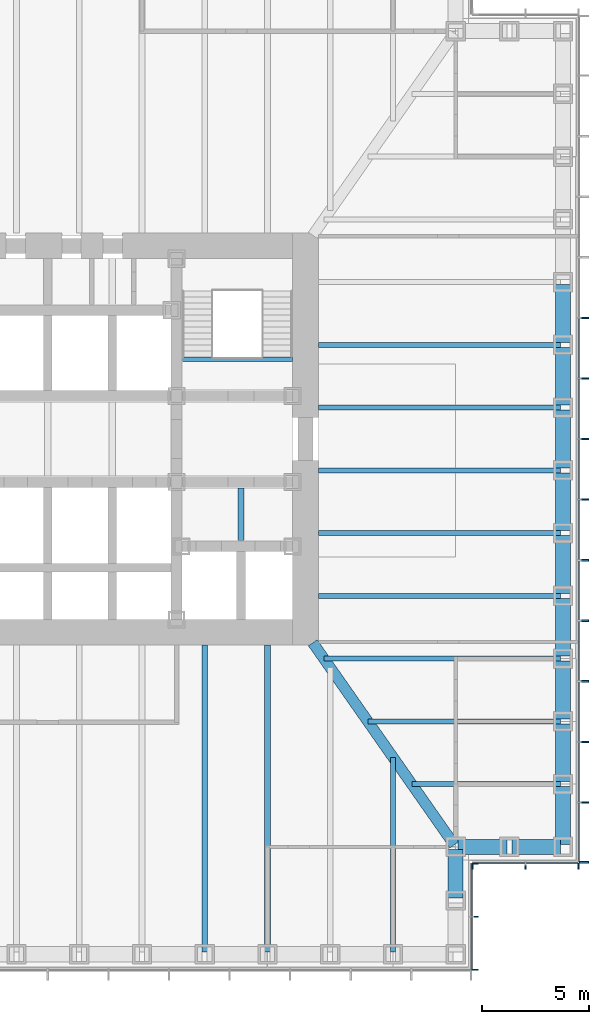
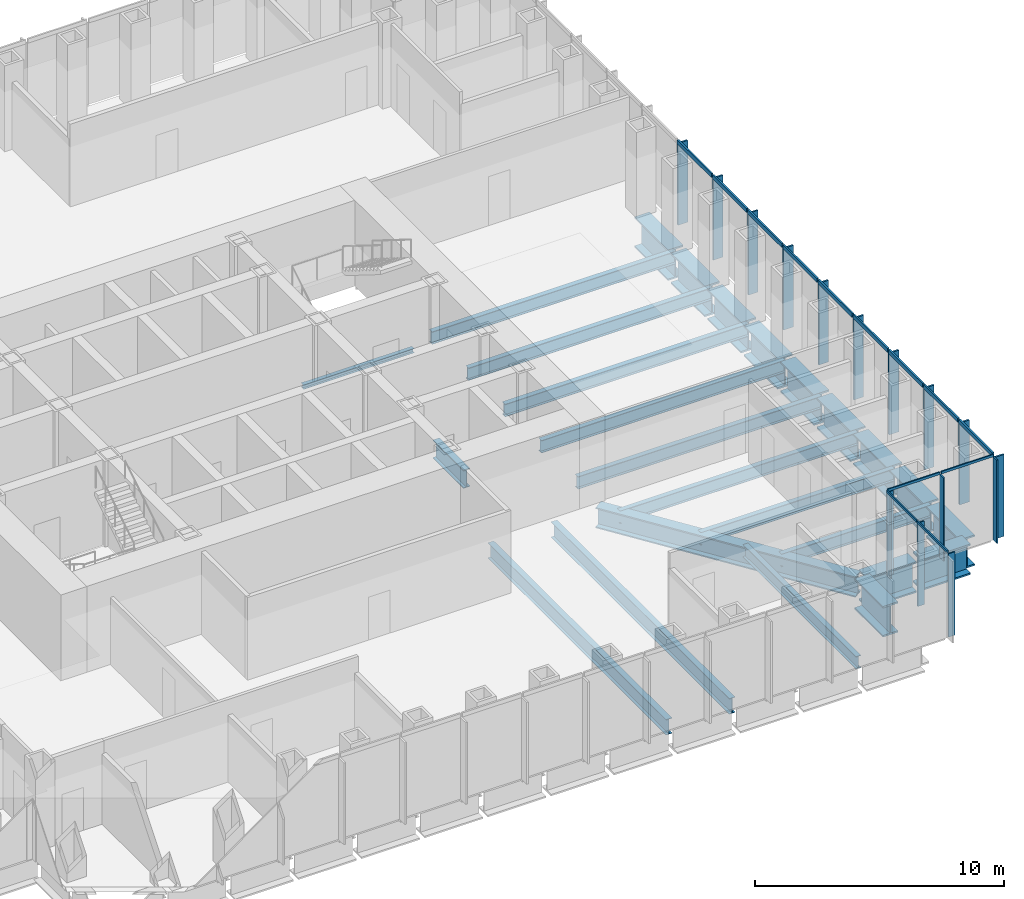
# One storey, part 4 of 17: 29 members, 26 beams, 3 elements without a shape of their own.
"""IFC4 building model written with IfcOpenShell, lengths in metres."""

from ifc_helpers import new_model, si_unit, direction, frame, origin, origin_2d, place, context, subcontext, project, spatial, rectangle, i_section, extrude, material, material_profile, profile_set, type_object, element, aggregate, save


model = new_model("IFC4")

# Units and contexts
model_context = context("Model", 3, precision=1e-05, world=origin(), true_north=direction((0.0, 1.0)))
body_context = subcontext(model_context, "Body", "Model", "MODEL_VIEW")
ifc_project = project(units=[si_unit("LENGTHUNIT", "METRE"), si_unit("AREAUNIT", "SQUARE_METRE"), si_unit("VOLUMEUNIT", "CUBIC_METRE"), si_unit("PLANEANGLEUNIT", "RADIAN"), si_unit("MASSUNIT", "GRAM", prefix="KILO")], contexts=[model_context])

# Site, building, storey
site_placement = place(None, origin())
site = spatial("IfcSite", under=ifc_project, at=site_placement, CompositionType="ELEMENT")
building_placement = place(site_placement, origin())
building = spatial("IfcBuilding", under=site, at=building_placement, Name="Daluyong Arena Tower", CompositionType="ELEMENT")
storey_placement = place(building_placement, frame((0.0, 0.0, 81.10009765625)))
storey = spatial("IfcBuildingStorey", under=building, at=storey_placement, Name="L17", CompositionType="ELEMENT", Elevation=81.10009765625)

# Curtain wall, members
ifc_material_1 = material(Name="Bronze anodised aluminium and glass", Category="aluminium")
curtain_wall_type_1 = type_object("IfcCurtainWallType", Name="Curtain wall CW1", PredefinedType="USERDEFINED", material=ifc_material_1)
curtain_wall_1_placement = place(storey_placement, origin())
curtain_wall_1 = element("IfcCurtainWall", 1, at=curtain_wall_1_placement, inside=storey, type_object=curtain_wall_type_1, Name="curtain wall L17 E", ObjectType="UNITISED CURTAIN WALL", PredefinedType="USERDEFINED")
ifc_material_2 = material(Name="Bronze anodised aluminium fin", Category="aluminium")
ifc_material_profile_1 = material_profile(ifc_material_2, rectangle(XDim=0.449951171875, YDim=0.080078125, at=origin_2d()))
ifc_profile_set_1 = profile_set([ifc_material_profile_1], Name="Bronze anodised aluminium fin")
member_type_1 = type_object("IfcMemberType", Name="CW1 bronze fin 450x80", PredefinedType="MULLION", material=ifc_profile_set_1)
member_1_placement = place(storey_placement, frame((80.97509765625, 60.2900390625, 0.0), z_axis=(0.0, 0.0, 1.0), x_axis=(-1.0, 0.0, 0.0)))
member_1 = element("IfcMember", 2, at=member_1_placement, type_object=member_type_1, Name="curtain wall L17 E fin 1", PredefinedType="MULLION", context=body_context, shape_type="SweptSolid", body=[
    extrude(rectangle(XDim=0.449951171875, YDim=0.080078125, at=origin_2d()), origin(), (0.0, 0.0, 1.0), 4.0),
])
member_2_placement = place(storey_placement, frame((80.97509765625, 63.071533203125, 0.0), z_axis=(0.0, 0.0, 1.0), x_axis=(-1.0, 0.0, 0.0)))
member_2 = element("IfcMember", 3, at=member_2_placement, type_object=member_type_1, Name="curtain wall L17 E fin 2", PredefinedType="MULLION", context=body_context, shape_type="SweptSolid", body=[
    extrude(rectangle(XDim=0.449951171875, YDim=0.080078125, at=origin_2d()), origin(), (0.0, 0.0, 1.0), 4.0),
])
member_3_placement = place(storey_placement, frame((80.97509765625, 65.892822265625, 0.0), z_axis=(0.0, 0.0, 1.0), x_axis=(-1.0, 0.0, 0.0)))
member_3 = element("IfcMember", 4, at=member_3_placement, type_object=member_type_1, Name="curtain wall L17 E fin 3", PredefinedType="MULLION", context=body_context, shape_type="SweptSolid", body=[
    extrude(rectangle(XDim=0.449951171875, YDim=0.080078125, at=origin_2d()), origin(), (0.0, 0.0, 1.0), 4.0),
])
member_4_placement = place(storey_placement, frame((80.97509765625, 68.71435546875, 0.0), z_axis=(0.0, 0.0, 1.0), x_axis=(-1.0, 0.0, 0.0)))
member_4 = element("IfcMember", 5, at=member_4_placement, type_object=member_type_1, Name="curtain wall L17 E fin 4", PredefinedType="MULLION", context=body_context, shape_type="SweptSolid", body=[
    extrude(rectangle(XDim=0.449951171875, YDim=0.080078125, at=origin_2d()), origin(), (0.0, 0.0, 1.0), 4.0),
])
member_5_placement = place(storey_placement, frame((80.97509765625, 71.53564453125, 0.0), z_axis=(0.0, 0.0, 1.0), x_axis=(-1.0, 0.0, 0.0)))
member_5 = element("IfcMember", 6, at=member_5_placement, type_object=member_type_1, Name="curtain wall L17 E fin 5", PredefinedType="MULLION", context=body_context, shape_type="SweptSolid", body=[
    extrude(rectangle(XDim=0.449951171875, YDim=0.080078125, at=origin_2d()), origin(), (0.0, 0.0, 1.0), 4.0),
])
member_6_placement = place(storey_placement, frame((80.97509765625, 74.357177734375, 0.0), z_axis=(0.0, 0.0, 1.0), x_axis=(-1.0, 0.0, 0.0)))
member_6 = element("IfcMember", 7, at=member_6_placement, type_object=member_type_1, Name="curtain wall L17 E fin 6", PredefinedType="MULLION", context=body_context, shape_type="SweptSolid", body=[
    extrude(rectangle(XDim=0.449951171875, YDim=0.080078125, at=origin_2d()), origin(), (0.0, 0.0, 1.0), 4.0),
])
member_7_placement = place(storey_placement, frame((80.97509765625, 77.178466796875, 0.0), z_axis=(0.0, 0.0, 1.0), x_axis=(-1.0, 0.0, 0.0)))
member_7 = element("IfcMember", 8, at=member_7_placement, type_object=member_type_1, Name="curtain wall L17 E fin 7", PredefinedType="MULLION", context=body_context, shape_type="SweptSolid", body=[
    extrude(rectangle(XDim=0.449951171875, YDim=0.080078125, at=origin_2d()), origin(), (0.0, 0.0, 1.0), 4.0),
])
member_8_placement = place(storey_placement, frame((80.97509765625, 80.0, 0.0), z_axis=(0.0, 0.0, 1.0), x_axis=(-1.0, 0.0, 0.0)))
member_8 = element("IfcMember", 9, at=member_8_placement, type_object=member_type_1, Name="curtain wall L17 E fin 8", PredefinedType="MULLION", context=body_context, shape_type="SweptSolid", body=[
    extrude(rectangle(XDim=0.449951171875, YDim=0.080078125, at=origin_2d()), origin(), (0.0, 0.0, 1.0), 4.0),
])
member_9_placement = place(storey_placement, frame((80.97509765625, 82.821533203125, 0.0), z_axis=(0.0, 0.0, 1.0), x_axis=(-1.0, 0.0, 0.0)))
member_9 = element("IfcMember", 10, at=member_9_placement, type_object=member_type_1, Name="curtain wall L17 E fin 9", PredefinedType="MULLION", context=body_context, shape_type="SweptSolid", body=[
    extrude(rectangle(XDim=0.449951171875, YDim=0.080078125, at=origin_2d()), origin(), (0.0, 0.0, 1.0), 4.0),
])
member_10_placement = place(storey_placement, frame((80.97509765625, 85.642822265625, 0.0), z_axis=(0.0, 0.0, 1.0), x_axis=(-1.0, 0.0, 0.0)))
member_10 = element("IfcMember", 11, at=member_10_placement, type_object=member_type_1, Name="curtain wall L17 E fin 10", PredefinedType="MULLION", context=body_context, shape_type="SweptSolid", body=[
    extrude(rectangle(XDim=0.449951171875, YDim=0.080078125, at=origin_2d()), origin(), (0.0, 0.0, 1.0), 4.0),
])
ifc_material_3 = material(Name="Bronze anodised aluminium", Category="aluminium")
ifc_material_profile_2 = material_profile(ifc_material_3, rectangle(XDim=0.080078125, YDim=0.199951171875, at=origin_2d()))
ifc_profile_set_2 = profile_set([ifc_material_profile_2], Name="Bronze anodised aluminium")
member_type_2 = type_object("IfcMemberType", Name="CW1 stack transom 200x80", PredefinedType="USERDEFINED", material=ifc_profile_set_2)
member_11_placement = place(storey_placement, frame((80.75, 60.330078125, 4.099853515625), z_axis=(0.0, 1.0, 0.0), x_axis=(-1.0, 0.0, 0.0)))
member_11 = element("IfcMember", 12, at=member_11_placement, type_object=member_type_2, Name="curtain wall L17 E transom 1", ObjectType="TRANSOM", PredefinedType="USERDEFINED", context=body_context, shape_type="SweptSolid", body=[
    extrude(rectangle(XDim=0.080078125, YDim=0.199951171875, at=origin_2d()), origin(), (0.0, 0.0, 1.0), 2.701416015625),
])
member_12_placement = place(storey_placement, frame((80.75, 63.111328125, 4.099853515625), z_axis=(0.0, 1.0, 0.0), x_axis=(-1.0, 0.0, 0.0)))
member_12 = element("IfcMember", 13, at=member_12_placement, type_object=member_type_2, Name="curtain wall L17 E transom 2", ObjectType="TRANSOM", PredefinedType="USERDEFINED", context=body_context, shape_type="SweptSolid", body=[
    extrude(rectangle(XDim=0.080078125, YDim=0.199951171875, at=origin_2d()), origin(), (0.0, 0.0, 1.0), 2.741455078125),
])
member_13_placement = place(storey_placement, frame((80.75, 65.932861328125, 4.099853515625), z_axis=(0.0, 1.0, 0.0), x_axis=(-1.0, 0.0, 0.0)))
member_13 = element("IfcMember", 14, at=member_13_placement, type_object=member_type_2, Name="curtain wall L17 E transom 3", ObjectType="TRANSOM", PredefinedType="USERDEFINED", context=body_context, shape_type="SweptSolid", body=[
    extrude(rectangle(XDim=0.080078125, YDim=0.199951171875, at=origin_2d()), origin(), (0.0, 0.0, 1.0), 2.741455078125),
])
member_14_placement = place(storey_placement, frame((80.75, 68.75439453125, 4.099853515625), z_axis=(0.0, 1.0, 0.0), x_axis=(-1.0, 0.0, 0.0)))
member_14 = element("IfcMember", 15, at=member_14_placement, type_object=member_type_2, Name="curtain wall L17 E transom 4", ObjectType="TRANSOM", PredefinedType="USERDEFINED", context=body_context, shape_type="SweptSolid", body=[
    extrude(rectangle(XDim=0.080078125, YDim=0.199951171875, at=origin_2d()), origin(), (0.0, 0.0, 1.0), 2.7412109375),
])
member_15_placement = place(storey_placement, frame((80.75, 71.57568359375, 4.099853515625), z_axis=(0.0, 1.0, 0.0), x_axis=(-1.0, 0.0, 0.0)))
member_15 = element("IfcMember", 16, at=member_15_placement, type_object=member_type_2, Name="curtain wall L17 E transom 5", ObjectType="TRANSOM", PredefinedType="USERDEFINED", context=body_context, shape_type="SweptSolid", body=[
    extrude(rectangle(XDim=0.080078125, YDim=0.199951171875, at=origin_2d()), origin(), (0.0, 0.0, 1.0), 2.741455078125),
])
member_16_placement = place(storey_placement, frame((80.75, 74.397216796875, 4.099853515625), z_axis=(0.0, 1.0, 0.0), x_axis=(-1.0, 0.0, 0.0)))
member_16 = element("IfcMember", 17, at=member_16_placement, type_object=member_type_2, Name="curtain wall L17 E transom 6", ObjectType="TRANSOM", PredefinedType="USERDEFINED", context=body_context, shape_type="SweptSolid", body=[
    extrude(rectangle(XDim=0.080078125, YDim=0.199951171875, at=origin_2d()), origin(), (0.0, 0.0, 1.0), 2.741455078125),
])
member_17_placement = place(storey_placement, frame((80.75, 77.218505859375, 4.099853515625), z_axis=(0.0, 1.0, 0.0), x_axis=(-1.0, 0.0, 0.0)))
member_17 = element("IfcMember", 18, at=member_17_placement, type_object=member_type_2, Name="curtain wall L17 E transom 7", ObjectType="TRANSOM", PredefinedType="USERDEFINED", context=body_context, shape_type="SweptSolid", body=[
    extrude(rectangle(XDim=0.080078125, YDim=0.199951171875, at=origin_2d()), origin(), (0.0, 0.0, 1.0), 2.741455078125),
])
member_18_placement = place(storey_placement, frame((80.75, 80.0400390625, 4.099853515625), z_axis=(0.0, 1.0, 0.0), x_axis=(-1.0, 0.0, 0.0)))
member_18 = element("IfcMember", 19, at=member_18_placement, type_object=member_type_2, Name="curtain wall L17 E transom 8", ObjectType="TRANSOM", PredefinedType="USERDEFINED", context=body_context, shape_type="SweptSolid", body=[
    extrude(rectangle(XDim=0.080078125, YDim=0.199951171875, at=origin_2d()), origin(), (0.0, 0.0, 1.0), 2.741455078125),
])
member_19_placement = place(storey_placement, frame((80.75, 82.861328125, 4.099853515625), z_axis=(0.0, 1.0, 0.0), x_axis=(-1.0, 0.0, 0.0)))
member_19 = element("IfcMember", 20, at=member_19_placement, type_object=member_type_2, Name="curtain wall L17 E transom 9", ObjectType="TRANSOM", PredefinedType="USERDEFINED", context=body_context, shape_type="SweptSolid", body=[
    extrude(rectangle(XDim=0.080078125, YDim=0.199951171875, at=origin_2d()), origin(), (0.0, 0.0, 1.0), 2.741455078125),
])
aggregate(curtain_wall_1, [member_1, member_2, member_3, member_4, member_5, member_6, member_7, member_8, member_9, member_10, member_11, member_12, member_13, member_14, member_15, member_16, member_17, member_18, member_19])

ifc_material_4 = material(Name="Bronze anodised aluminium and glass", Category="aluminium")
curtain_wall_type_2 = type_object("IfcCurtainWallType", Name="Curtain wall CW7", PredefinedType="USERDEFINED", material=ifc_material_4)
curtain_wall_2_placement = place(storey_placement, origin())
curtain_wall_2 = element("IfcCurtainWall", 21, at=curtain_wall_2_placement, inside=storey, type_object=curtain_wall_type_2, Name="curtain wall L17 SE-E", ObjectType="UNITISED CURTAIN WALL", PredefinedType="USERDEFINED")
ifc_material_5 = material(Name="Bronze anodised aluminium fin", Category="aluminium")
ifc_material_profile_3 = material_profile(ifc_material_5, rectangle(XDim=0.300048828125, YDim=0.06005859375, at=origin_2d()))
ifc_profile_set_3 = profile_set([ifc_material_profile_3], Name="Bronze anodised aluminium fin")
member_type_3 = type_object("IfcMemberType", Name="CW7 bronze fin 300x60", PredefinedType="MULLION", material=ifc_profile_set_3)
member_20_placement = place(storey_placement, frame((75.89990234375, 55.280029296875, 0.0), z_axis=(0.0, 0.0, 1.0), x_axis=(-1.0, 0.0, 0.0)))
member_20 = element("IfcMember", 22, at=member_20_placement, type_object=member_type_3, Name="curtain wall L17 SE-E fin 1", PredefinedType="MULLION", context=body_context, shape_type="SweptSolid", body=[
    extrude(rectangle(XDim=0.300048828125, YDim=0.06005859375, at=origin_2d()), origin(), (0.0, 0.0, 1.0), 4.079833984375),
])
member_21_placement = place(storey_placement, frame((75.89990234375, 57.75, 0.0), z_axis=(0.0, 0.0, 1.0), x_axis=(-1.0, 0.0, 0.0)))
member_21 = element("IfcMember", 23, at=member_21_placement, type_object=member_type_3, Name="curtain wall L17 SE-E fin 2", PredefinedType="MULLION", context=body_context, shape_type="SweptSolid", body=[
    extrude(rectangle(XDim=0.300048828125, YDim=0.06005859375, at=origin_2d()), origin(), (0.0, 0.0, 1.0), 4.079833984375),
])
member_22_placement = place(storey_placement, frame((75.89990234375, 60.219970703125, 0.0), z_axis=(0.0, 0.0, 1.0), x_axis=(-1.0, 0.0, 0.0)))
member_22 = element("IfcMember", 24, at=member_22_placement, type_object=member_type_3, Name="curtain wall L17 SE-E fin 3", PredefinedType="MULLION", context=body_context, shape_type="SweptSolid", body=[
    extrude(rectangle(XDim=0.300048828125, YDim=0.06005859375, at=origin_2d()), origin(), (0.0, 0.0, 1.0), 4.079833984375),
])

curtain_wall_3_placement = place(storey_placement, origin())
curtain_wall_3 = element("IfcCurtainWall", 25, at=curtain_wall_3_placement, inside=storey, type_object=curtain_wall_type_2, Name="curtain wall L17 SE-S", ObjectType="UNITISED CURTAIN WALL", PredefinedType="USERDEFINED")
member_23_placement = place(storey_placement, frame((75.780029296875, 60.10009765625, 0.0), z_axis=(0.0, 0.0, 1.0), x_axis=(0.0, 1.0, 0.0)))
member_23 = element("IfcMember", 26, at=member_23_placement, type_object=member_type_3, Name="curtain wall L17 SE-S fin 1", PredefinedType="MULLION", context=body_context, shape_type="SweptSolid", body=[
    extrude(rectangle(XDim=0.300048828125, YDim=0.06005859375, at=origin_2d()), origin(), (0.0, 0.0, 1.0), 4.079833984375),
])
member_24_placement = place(storey_placement, frame((78.25, 60.10009765625, 0.0), z_axis=(0.0, 0.0, 1.0), x_axis=(0.0, 1.0, 0.0)))
member_24 = element("IfcMember", 27, at=member_24_placement, type_object=member_type_3, Name="curtain wall L17 SE-S fin 2", PredefinedType="MULLION", context=body_context, shape_type="SweptSolid", body=[
    extrude(rectangle(XDim=0.300048828125, YDim=0.06005859375, at=origin_2d()), origin(), (0.0, 0.0, 1.0), 4.079833984375),
])
member_25_placement = place(storey_placement, frame((80.719970703125, 60.10009765625, 0.0), z_axis=(0.0, 0.0, 1.0), x_axis=(0.0, 1.0, 0.0)))
member_25 = element("IfcMember", 28, at=member_25_placement, type_object=member_type_3, Name="curtain wall L17 SE-S fin 3", PredefinedType="MULLION", context=body_context, shape_type="SweptSolid", body=[
    extrude(rectangle(XDim=0.300048828125, YDim=0.06005859375, at=origin_2d()), origin(), (0.0, 0.0, 1.0), 4.079833984375),
])

# Member
ifc_material_6 = material(Name="Bronze anodised aluminium", Category="aluminium")
ifc_material_profile_4 = material_profile(ifc_material_6, rectangle(XDim=0.06005859375, YDim=0.1201171875, at=origin_2d()))
ifc_profile_set_4 = profile_set([ifc_material_profile_4], Name="Bronze anodised aluminium")
member_type_4 = type_object("IfcMemberType", Name="CW7 stack transom 120x60", PredefinedType="USERDEFINED", material=ifc_profile_set_4)
member_26_placement = place(storey_placement, frame((75.75, 55.31005859375, 4.139892578125), z_axis=(0.0, 1.0, 0.0), x_axis=(-1.0, 0.0, 0.0)))
member_26 = element("IfcMember", 29, at=member_26_placement, type_object=member_type_4, Name="curtain wall L17 SE-E transom 1", ObjectType="TRANSOM", PredefinedType="USERDEFINED", context=body_context, shape_type="SweptSolid", body=[
    extrude(rectangle(XDim=0.06005859375, YDim=0.1201171875, at=origin_2d()), origin(), (0.0, 0.0, 1.0), 2.409912109375),
])

member_27_placement = place(storey_placement, frame((75.75, 57.780029296875, 4.139892578125), z_axis=(0.0, 1.0, 0.0), x_axis=(-1.0, 0.0, 0.0)))
member_27 = element("IfcMember", 30, at=member_27_placement, type_object=member_type_4, Name="curtain wall L17 SE-E transom 2", ObjectType="TRANSOM", PredefinedType="USERDEFINED", context=body_context, shape_type="SweptSolid", body=[
    extrude(rectangle(XDim=0.06005859375, YDim=0.1201171875, at=origin_2d()), origin(), (0.0, 0.0, 1.0), 2.409912109375),
])

aggregate(curtain_wall_2, [member_20, member_21, member_22, member_26, member_27])

member_28_placement = place(storey_placement, frame((75.81005859375, 60.25, 4.139892578125), z_axis=(1.0, 0.0, 0.0), x_axis=(0.0, 1.0, 0.0)))
member_28 = element("IfcMember", 31, at=member_28_placement, type_object=member_type_4, Name="curtain wall L17 SE-S transom 1", ObjectType="TRANSOM", PredefinedType="USERDEFINED", context=body_context, shape_type="SweptSolid", body=[
    extrude(rectangle(XDim=0.06005859375, YDim=0.1201171875, at=origin_2d()), origin(), (0.0, 0.0, 1.0), 2.409912109375),
])

member_29_placement = place(storey_placement, frame((78.280029296875, 60.25, 4.139892578125), z_axis=(1.0, 0.0, 0.0), x_axis=(0.0, 1.0, 0.0)))
member_29 = element("IfcMember", 32, at=member_29_placement, type_object=member_type_4, Name="curtain wall L17 SE-S transom 2", ObjectType="TRANSOM", PredefinedType="USERDEFINED", context=body_context, shape_type="SweptSolid", body=[
    extrude(rectangle(XDim=0.06005859375, YDim=0.1201171875, at=origin_2d()), origin(), (0.0, 0.0, 1.0), 2.409912109375),
])

aggregate(curtain_wall_3, [member_23, member_24, member_25, member_28, member_29])

# Beams
ifc_material_7 = material(Name="Steel ASTM A572 Grade 50", Category="steel")
ifc_material_profile_5 = material_profile(ifc_material_7, i_section(OverallWidth=0.5, OverallDepth=1.0, WebThickness=0.03, FlangeThickness=0.06, at=origin_2d()))
ifc_profile_set_5 = profile_set([ifc_material_profile_5], Name="Steel ASTM A572 Grade 50")
beam_type_1 = type_object("IfcBeamType", Name="Corner girder TB1000X500", PredefinedType="BEAM", material=ifc_profile_set_5)
beam_1_placement = place(storey_placement, frame((74.93408203125, 61.09423828125, -0.66015625), z_axis=(-0.573466621875, 0.819228926244, 0.0), x_axis=(-0.819228926244, -0.573466621875, 0.0)))
element("IfcBeam", 33, at=beam_1_placement, inside=storey, type_object=beam_type_1, Name="corner girder DG2", PredefinedType="BEAM", context=body_context, shape_type="SweptSolid", body=[
    extrude(i_section(OverallWidth=0.5, OverallDepth=1.0, WebThickness=0.03, FlangeThickness=0.06, at=origin_2d()), origin(), (0.0, 0.0, 1.0), 11.49169921875),
])
ifc_material_8 = material(Name="Steel ASTM A992 Grade 50", Category="steel")
ifc_material_profile_6 = material_profile(ifc_material_8, i_section(OverallWidth=0.22900390625, OverallDepth=0.612060546875, WebThickness=0.011962890625, FlangeThickness=0.01953125, at=origin_2d()))
ifc_profile_set_6 = profile_set([ifc_material_profile_6], Name="Steel ASTM A992 Grade 50")
beam_type_2 = type_object("IfcBeamType", Name="Floor beam W24X84", PredefinedType="BEAM", material=ifc_profile_set_6)
beam_2_placement = place(storey_placement, frame((72.076904296875, 56.114990234375, -0.466064453125), z_axis=(0.0, 1.0, 0.0), x_axis=(-1.0, 0.0, 0.0)))
element("IfcBeam", 34, at=beam_2_placement, inside=storey, type_object=beam_type_2, Name="floor beam FB3", PredefinedType="BEAM", context=body_context, shape_type="SweptSolid", body=[
    extrude(i_section(OverallWidth=0.22900390625, OverallDepth=0.612060546875, WebThickness=0.011962890625, FlangeThickness=0.01953125, at=origin_2d()), origin(), (0.0, 0.0, 1.0), 9.060791015625),
])
beam_3_placement = place(storey_placement, frame((79.885009765625, 63.923095703125, -0.466064453125), z_axis=(-1.0, 0.0, 0.0), x_axis=(0.0, -1.0, 0.0)))
element("IfcBeam", 35, at=beam_3_placement, inside=storey, type_object=beam_type_2, Name="floor beam FB3", PredefinedType="BEAM", context=body_context, shape_type="SweptSolid", body=[
    extrude(i_section(OverallWidth=0.22900390625, OverallDepth=0.612060546875, WebThickness=0.011962890625, FlangeThickness=0.01953125, at=origin_2d()), origin(), (0.0, 0.0, 1.0), 6.93115234375),
])
beam_4_placement = place(storey_placement, frame((79.885009765625, 66.84619140625, -0.466064453125), z_axis=(-1.0, 0.0, 0.0), x_axis=(0.0, -1.0, 0.0)))
element("IfcBeam", 36, at=beam_4_placement, inside=storey, type_object=beam_type_2, Name="floor beam FB3", PredefinedType="BEAM", context=body_context, shape_type="SweptSolid", body=[
    extrude(i_section(OverallWidth=0.22900390625, OverallDepth=0.612060546875, WebThickness=0.011962890625, FlangeThickness=0.01953125, at=origin_2d()), origin(), (0.0, 0.0, 1.0), 8.977294921875),
])
beam_5_placement = place(storey_placement, frame((79.885009765625, 69.769287109375, -0.466064453125), z_axis=(-1.0, 0.0, 0.0), x_axis=(0.0, -1.0, 0.0)))
element("IfcBeam", 37, at=beam_5_placement, inside=storey, type_object=beam_type_2, Name="floor beam FB3", PredefinedType="BEAM", context=body_context, shape_type="SweptSolid", body=[
    extrude(i_section(OverallWidth=0.22900390625, OverallDepth=0.612060546875, WebThickness=0.011962890625, FlangeThickness=0.01953125, at=origin_2d()), origin(), (0.0, 0.0, 1.0), 11.0234375),
])
for number, where, z_axis, x_axis, name in (
    (38, (79.885009765625, 72.6923828125, -0.466064453125), (-1.0, 0.0, 0.0), (0.0, -1.0, 0.0), "floor beam FB3"),
    (39, (79.885009765625, 75.615478515625, -0.466064453125), (-1.0, 0.0, 0.0), (0.0, -1.0, 0.0), "floor beam FB3"),
    (40, (79.885009765625, 78.53857421875, -0.466064453125), (-1.0, 0.0, 0.0), (0.0, -1.0, 0.0), "floor beam FB3"),
    (41, (79.885009765625, 81.46142578125, -0.466064453125), (-1.0, 0.0, 0.0), (0.0, -1.0, 0.0), "floor beam FB3"),
    (42, (79.885009765625, 84.384521484375, -0.466064453125), (-1.0, 0.0, 0.0), (0.0, -1.0, 0.0), "floor beam FB3"),
):
    element("IfcBeam", number, at=place(storey_placement, frame(where, z_axis=z_axis, x_axis=x_axis)), inside=storey, type_object=beam_type_2, Name=name, PredefinedType="BEAM", context=body_context, shape_type="SweptSolid", body=[
        extrude(i_section(OverallWidth=0.22900390625, OverallDepth=0.612060546875, WebThickness=0.011962890625, FlangeThickness=0.01953125, at=origin_2d()), origin(), (0.0, 0.0, 1.0), 11.284912109375),
    ])
ifc_material_9 = material(Name="Steel ASTM A992 Grade 50", Category="steel")
ifc_material_profile_7 = material_profile(ifc_material_9, i_section(OverallWidth=0.2666015625, OverallDepth=0.761962890625, WebThickness=0.014404296875, FlangeThickness=0.021484375, at=origin_2d()))
ifc_profile_set_7 = profile_set([ifc_material_profile_7], Name="Steel ASTM A992 Grade 50")
beam_type_3 = type_object("IfcBeamType", Name="Floor beam W30X116", PredefinedType="BEAM", material=ifc_profile_set_7)
for number, where, z_axis, x_axis, name in (
    (43, (63.3076171875, 56.114990234375, -0.541015625), (0.0, 1.0, 0.0), (-1.0, 0.0, 0.0), "floor beam FB4"),
    (44, (66.230712890625, 56.114990234375, -0.541015625), (0.0, 1.0, 0.0), (-1.0, 0.0, 0.0), "floor beam FB4"),
):
    element("IfcBeam", number, at=place(storey_placement, frame(where, z_axis=z_axis, x_axis=x_axis)), inside=storey, type_object=beam_type_3, Name=name, PredefinedType="BEAM", context=body_context, shape_type="SweptSolid", body=[
        extrude(i_section(OverallWidth=0.2666015625, OverallDepth=0.761962890625, WebThickness=0.014404296875, FlangeThickness=0.021484375, at=origin_2d()), origin(), (0.0, 0.0, 1.0), 14.284912109375),
    ])
ifc_material_10 = material(Name="Steel ASTM A572 Grade 50", Category="steel")
ifc_material_profile_8 = material_profile(ifc_material_10, i_section(OverallWidth=0.300048828125, OverallDepth=0.89990234375, WebThickness=0.025, FlangeThickness=0.04, at=origin_2d()))
ifc_profile_set_8 = profile_set([ifc_material_profile_8], Name="Steel ASTM A572 Grade 50")
beam_type_4 = type_object("IfcBeamType", Name="Lift divider beam PG900X300", PredefinedType="BEAM", material=ifc_profile_set_8)
beam_6_placement = place(storey_placement, frame((65.0, 75.27490234375, -0.610107421875), z_axis=(0.0, 1.0, 0.0), x_axis=(-1.0, 0.0, 0.0)))
element("IfcBeam", 45, at=beam_6_placement, inside=storey, type_object=beam_type_4, Name="lift divider beam DB1", PredefinedType="BEAM", context=body_context, shape_type="SweptSolid", body=[
    extrude(i_section(OverallWidth=0.300048828125, OverallDepth=0.89990234375, WebThickness=0.025, FlangeThickness=0.04, at=origin_2d()), origin(), (0.0, 0.0, 1.0), 2.4501953125),
])
ifc_material_11 = material(Name="Steel ASTM A572 Grade 50", Category="steel")
ifc_material_profile_9 = material_profile(ifc_material_11, i_section(OverallWidth=0.699951171875, OverallDepth=1.5, WebThickness=0.04, FlangeThickness=0.08, at=origin_2d()))
ifc_profile_set_9 = profile_set([ifc_material_profile_9], Name="Steel ASTM A572 Grade 50")
beam_type_5 = type_object("IfcBeamType", Name="Spandrel Z1 PG1500X700", PredefinedType="SPANDREL", material=ifc_profile_set_9)
for number, where, z_axis, x_axis, name in (
    (46, (75.0, 58.614990234375, -0.91015625), (0.0, 1.0, 0.0), (-1.0, 0.0, 0.0), "spandrel z1 SB4"),
    (47, (75.114990234375, 61.0, -0.91015625), (1.0, 0.0, 0.0), (0.0, 1.0, 0.0), "spandrel z1 SB4"),
    (48, (77.614990234375, 61.0, -0.91015625), (1.0, 0.0, 0.0), (0.0, 1.0, 0.0), "spandrel z1 SB4"),
):
    element("IfcBeam", number, at=place(storey_placement, frame(where, z_axis=z_axis, x_axis=x_axis)), inside=storey, type_object=beam_type_5, Name=name, PredefinedType="SPANDREL", context=body_context, shape_type="SweptSolid", body=[
        extrude(i_section(OverallWidth=0.699951171875, OverallDepth=1.5, WebThickness=0.04, FlangeThickness=0.08, at=origin_2d()), origin(), (0.0, 0.0, 1.0), 2.27001953125),
    ])
for number, where, z_axis, x_axis, name in (
    (49, (80.0, 61.114990234375, -0.91015625), (0.0, 1.0, 0.0), (-1.0, 0.0, 0.0), "spandrel z1 SB4"),
    (50, (80.0, 64.0380859375, -0.91015625), (0.0, 1.0, 0.0), (-1.0, 0.0, 0.0), "spandrel z1 SB4"),
    (51, (80.0, 66.961181640625, -0.91015625), (0.0, 1.0, 0.0), (-1.0, 0.0, 0.0), "spandrel z1 SB4"),
    (52, (80.0, 69.88427734375, -0.91015625), (0.0, 1.0, 0.0), (-1.0, 0.0, 0.0), "spandrel z1 SB4"),
    (53, (80.0, 72.807373046875, -0.91015625), (0.0, 1.0, 0.0), (-1.0, 0.0, 0.0), "spandrel z1 SB4"),
    (54, (80.0, 75.73046875, -0.91015625), (0.0, 1.0, 0.0), (-1.0, 0.0, 0.0), "spandrel z1 SB4"),
):
    element("IfcBeam", number, at=place(storey_placement, frame(where, z_axis=z_axis, x_axis=x_axis)), inside=storey, type_object=beam_type_5, Name=name, PredefinedType="SPANDREL", context=body_context, shape_type="SweptSolid", body=[
        extrude(i_section(OverallWidth=0.699951171875, OverallDepth=1.5, WebThickness=0.04, FlangeThickness=0.08, at=origin_2d()), origin(), (0.0, 0.0, 1.0), 2.693115234375),
    ])
beam_7_placement = place(storey_placement, frame((80.0, 78.653564453125, -0.91015625), z_axis=(0.0, 1.0, 0.0), x_axis=(-1.0, 0.0, 0.0)))
element("IfcBeam", 55, at=beam_7_placement, inside=storey, type_object=beam_type_5, Name="spandrel z1 SB4", PredefinedType="SPANDREL", context=body_context, shape_type="SweptSolid", body=[
    extrude(i_section(OverallWidth=0.699951171875, OverallDepth=1.5, WebThickness=0.04, FlangeThickness=0.08, at=origin_2d()), origin(), (0.0, 0.0, 1.0), 2.69287109375),
])
for number, where, z_axis, x_axis, name in (
    (56, (80.0, 81.576416015625, -0.91015625), (0.0, 1.0, 0.0), (-1.0, 0.0, 0.0), "spandrel z1 SB4"),
    (57, (80.0, 84.49951171875, -0.91015625), (0.0, 1.0, 0.0), (-1.0, 0.0, 0.0), "spandrel z1 SB4"),
):
    element("IfcBeam", number, at=place(storey_placement, frame(where, z_axis=z_axis, x_axis=x_axis)), inside=storey, type_object=beam_type_5, Name=name, PredefinedType="SPANDREL", context=body_context, shape_type="SweptSolid", body=[
        extrude(i_section(OverallWidth=0.699951171875, OverallDepth=1.5, WebThickness=0.04, FlangeThickness=0.08, at=origin_2d()), origin(), (0.0, 0.0, 1.0), 2.693115234375),
    ])
ifc_material_12 = material(Name="Steel ASTM A992 Grade 50", Category="steel")
ifc_material_profile_10 = material_profile(ifc_material_12, i_section(OverallWidth=0.203125, OverallDepth=0.203125, WebThickness=0.00732421875, FlangeThickness=0.010986328125, at=origin_2d()))
ifc_profile_set_10 = profile_set([ifc_material_profile_10], Name="Steel ASTM A992 Grade 50")
beam_type_6 = type_object("IfcBeamType", Name="Stair landing beam W8X31", PredefinedType="BEAM", material=ifc_profile_set_10)
beam_8_placement = place(storey_placement, frame((62.27490234375, 83.723388671875, -0.26171875), z_axis=(1.0, 0.0, 0.0), x_axis=(0.0, 1.0, 0.0)))
element("IfcBeam", 58, at=beam_8_placement, inside=storey, type_object=beam_type_6, Name="exit stair B landing beam", PredefinedType="BEAM", context=body_context, shape_type="SweptSolid", body=[
    extrude(i_section(OverallWidth=0.203125, OverallDepth=0.203125, WebThickness=0.00732421875, FlangeThickness=0.010986328125, at=origin_2d()), origin(), (0.0, 0.0, 1.0), 5.125),
])

save(model, "model.ifc")
